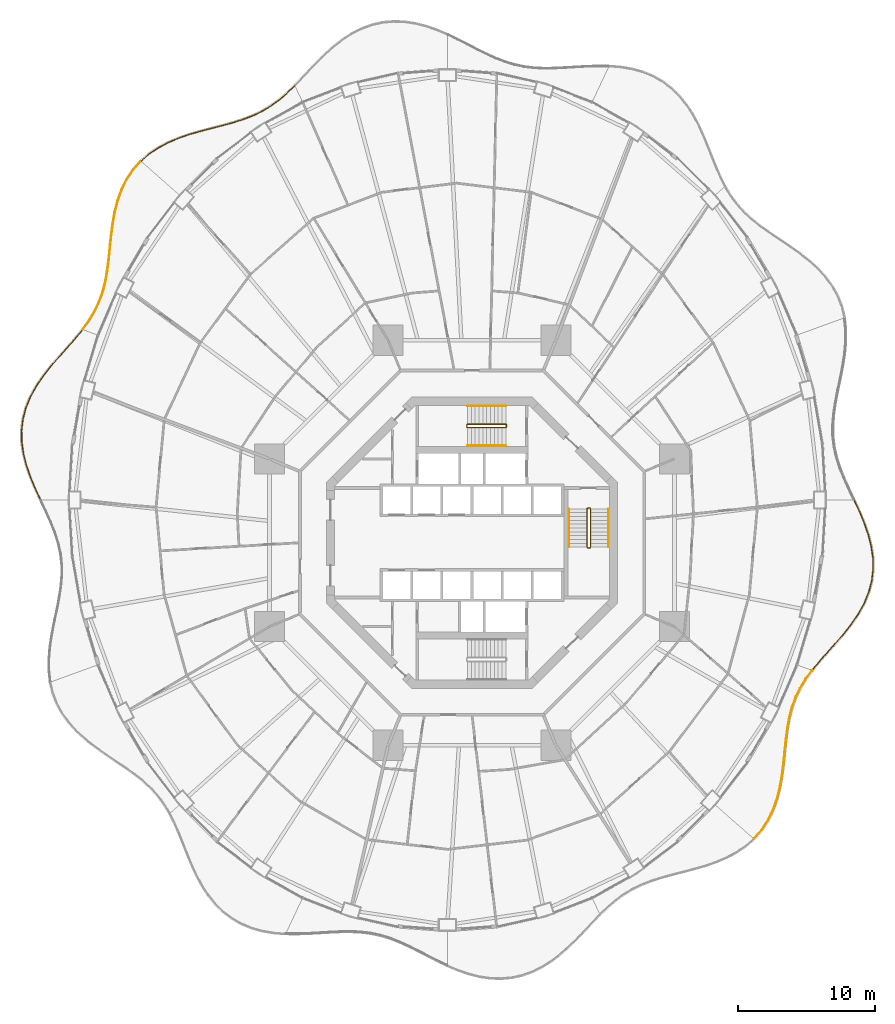
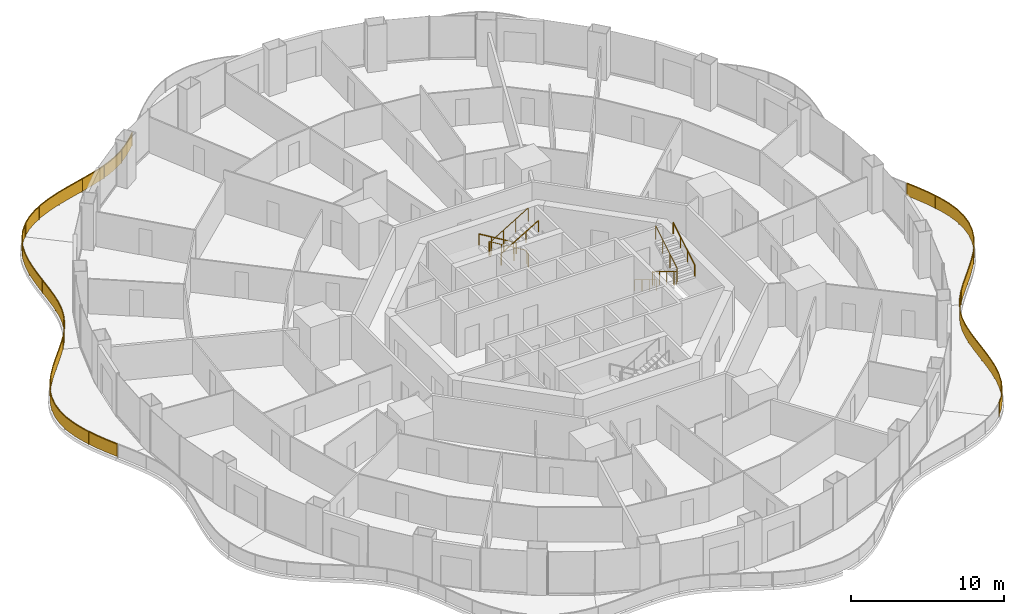
# One storey, part 21 of 22: 11 railings.
"""IFC4 building model written with IfcOpenShell, lengths in metres."""

from ifc_helpers import new_model, si_unit, direction, frame, origin, origin_2d, place, context, subcontext, project, spatial, polyline, rectangle, circle, outline, extrude, material, type_object, element, save


model = new_model("IFC4")

# Units and contexts
model_context = context("Model", 3, precision=1e-05, world=origin(), true_north=direction((0.0, 1.0)))
body_context = subcontext(model_context, "Body", "Model", "MODEL_VIEW")
ifc_project = project(units=[si_unit("LENGTHUNIT", "METRE"), si_unit("AREAUNIT", "SQUARE_METRE"), si_unit("VOLUMEUNIT", "CUBIC_METRE"), si_unit("PLANEANGLEUNIT", "RADIAN"), si_unit("MASSUNIT", "GRAM", prefix="KILO")], contexts=[model_context])

# Site, building, storey
site_placement = place(None, origin())
site = spatial("IfcSite", under=ifc_project, at=site_placement, CompositionType="ELEMENT")
building_placement = place(site_placement, origin())
building = spatial("IfcBuilding", under=site, at=building_placement, Name="Nagisa Residences", CompositionType="ELEMENT")
storey_placement = place(building_placement, frame((0.0, 0.0, 106.60009765625)))
storey = spatial("IfcBuildingStorey", under=building, at=storey_placement, Name="L26", CompositionType="ELEMENT", Elevation=106.60009765625)

# Railings
ifc_material_1 = material(Name="Stainless steel 316", Category="steel")
railing_type_1 = type_object("IfcRailingType", Name="BALCONY GUARD 1100", PredefinedType="BALUSTRADE", material=ifc_material_1)
railing_1_placement = place(storey_placement, frame((-12.95703125, 33.337890625, 0.0)))
element("IfcRailing", 1, at=railing_1_placement, inside=storey, type_object=railing_type_1, Name="guard:L26:bal05-0", PredefinedType="BALUSTRADE", context=body_context, shape_type="SweptSolid", body=[
    extrude(outline(polyline([(-0.512939453125, -0.531982421875), (0.017333984375, -0.01806640625), (-0.017333984375, 0.01806640625), (-0.546630859375, -0.494873046875), (-1.12060546875, -0.98779296875), (-1.716064453125, -1.424560546875), (-2.34130859375, -1.803466796875), (-3.00244140625, -2.126953125), (-3.688232421875, -2.3935546875), (-4.426513671875, -2.6318359375), (-5.19873046875, -2.845947265625), (-5.997802734375, -3.0517578125), (-6.812744140625, -3.26513671875), (-7.618896484375, -3.491943359375), (-8.425537109375, -3.7685546875), (-9.205078125, -4.0966796875), (-9.942138671875, -4.48681640625), (-10.622802734375, -4.945068359375), (-11.19970703125, -5.442626953125), (-11.1669921875, -5.480712890625), (-10.592529296875, -4.985107421875), (-9.916259765625, -4.52978515625), (-9.18359375, -4.14208984375), (-8.407470703125, -3.8154296875), (-7.603759765625, -3.539794921875), (-6.799560546875, -3.3134765625), (-5.985107421875, -3.10009765625), (-5.18603515625, -2.894287109375), (-4.412353515625, -2.6796875), (-3.671630859375, -2.44091796875), (-2.982421875, -2.1728515625), (-2.3173828125, -1.847412109375), (-1.688232421875, -1.466064453125), (-1.08935546875, -1.02685546875), (-0.512939453125, -0.531982421875)])), frame((0.0, 0.0, 1.050048828125)), (0.0, 0.0, 1.0), 0.050048828125),
    extrude(outline(polyline([(-0.525146484375, -0.5185546875), (0.0048828125, -0.005126953125), (-0.0048828125, 0.005126953125), (-0.534423828125, -0.50830078125), (-1.109375, -1.001953125), (-1.7060546875, -1.439453125), (-2.332763671875, -1.8193359375), (-2.995361328125, -2.1435546875), (-3.682373046875, -2.41064453125), (-4.42138671875, -2.649169921875), (-5.194091796875, -2.86328125), (-5.9931640625, -3.069091796875), (-6.80810546875, -3.282470703125), (-7.613525390625, -3.50927734375), (-8.4189453125, -3.785400390625), (-9.197265625, -4.113037109375), (-9.932861328125, -4.502197265625), (-10.61181640625, -4.95947265625), (-11.18798828125, -5.456298828125), (-11.1787109375, -5.467041015625), (-10.603515625, -4.970703125), (-9.925537109375, -4.514404296875), (-9.19140625, -4.125732421875), (-8.4140625, -3.798583984375), (-7.609130859375, -3.5224609375), (-6.80419921875, -3.296142578125), (-5.98974609375, -3.082763671875), (-5.190673828125, -2.876953125), (-4.41748046875, -2.662353515625), (-3.677490234375, -2.423828125), (-2.989501953125, -2.15625), (-2.325927734375, -1.83154296875), (-1.6982421875, -1.451171875), (-1.1005859375, -1.0126953125), (-0.525146484375, -0.5185546875)])), frame((0.0, 0.0, 0.06005859375)), (0.0, 0.0, 1.0), 0.989990234375),
    extrude(rectangle(XDim=0.0400390625, YDim=0.0400390625, at=origin_2d()), origin(), (0.0, 0.0, 1.0), 1.050048828125),
    extrude(rectangle(XDim=0.0400390625, YDim=0.0400390625, at=origin_2d()), frame((-1.5966796875, -1.367919921875, 0.0)), (0.0, 0.0, 1.0), 1.050048828125),
    extrude(rectangle(XDim=0.0400390625, YDim=0.0400390625, at=origin_2d()), frame((-3.461181640625, -2.332275390625, 0.0)), (0.0, 0.0, 1.0), 1.050048828125),
    extrude(rectangle(XDim=0.0400390625, YDim=0.0400390625, at=origin_2d()), frame((-5.47509765625, -2.94287109375, 0.0)), (0.0, 0.0, 1.0), 1.050048828125),
    extrude(rectangle(XDim=0.0400390625, YDim=0.0400390625, at=origin_2d()), frame((-7.509033203125, -3.487060546875, 0.0)), (0.0, 0.0, 1.0), 1.050048828125),
    extrude(rectangle(XDim=0.0400390625, YDim=0.0400390625, at=origin_2d()), frame((-9.463134765625, -4.26171875, 0.0)), (0.0, 0.0, 1.0), 1.050048828125),
    extrude(rectangle(XDim=0.0400390625, YDim=0.0400390625, at=origin_2d()), frame((-11.183349609375, -5.461669921875, 0.0)), (0.0, 0.0, 1.0), 1.050048828125),
])
railing_2_placement = place(storey_placement, frame((-24.195556640625, 27.822021484375, 0.0)))
element("IfcRailing", 2, at=railing_2_placement, inside=storey, type_object=railing_type_1, Name="guard:L26:bal06-0", PredefinedType="BALUSTRADE", context=body_context, shape_type="SweptSolid", body=[
    extrude(outline(polyline([(-0.5078125, -0.609130859375), (0.018798828125, -0.0166015625), (-0.018798828125, 0.0166015625), (-0.54736328125, -0.578369140625), (-1.017578125, -1.281494140625), (-1.3974609375, -2.047119140625), (-1.691650390625, -2.863037109375), (-1.91015625, -3.7158203125), (-2.05859375, -4.577392578125), (-2.17236328125, -5.45751953125), (-2.26220703125, -6.3310546875), (-2.35009765625, -7.184814453125), (-2.456298828125, -8.01123046875), (-2.593017578125, -8.789794921875), (-2.789306640625, -9.544921875), (-3.049560546875, -10.264404296875), (-3.379638671875, -10.951904296875), (-3.780517578125, -11.6142578125), (-4.22265625, -12.224365234375), (-4.18212890625, -12.253662109375), (-3.739013671875, -11.64208984375), (-3.335693359375, -10.975830078125), (-3.003173828125, -10.283935546875), (-2.741455078125, -9.5595703125), (-2.544189453125, -8.800537109375), (-2.406982421875, -8.0185546875), (-2.30029296875, -7.190673828125), (-2.21240234375, -6.3359375), (-2.12255859375, -5.46337890625), (-2.00927734375, -4.584716796875), (-1.861328125, -3.72607421875), (-1.643798828125, -2.877685546875), (-1.3515625, -2.066650390625), (-0.97412109375, -1.306396484375), (-0.5078125, -0.609130859375)])), frame((0.0, 0.0, 1.050048828125)), (0.0, 0.0, 1.0), 0.050048828125),
    extrude(outline(polyline([(-0.52197265625, -0.59814453125), (0.005126953125, -0.004638671875), (-0.005126953125, 0.004638671875), (-0.533203125, -0.58935546875), (-1.001953125, -1.29052734375), (-1.380859375, -2.05419921875), (-1.67431640625, -2.868408203125), (-1.892578125, -3.719482421875), (-2.040771484375, -4.580078125), (-2.154296875, -5.459716796875), (-2.244384765625, -6.332763671875), (-2.33203125, -7.18701171875), (-2.4384765625, -8.013916015625), (-2.575439453125, -8.793701171875), (-2.77197265625, -9.55029296875), (-3.03271484375, -10.271484375), (-3.36376953125, -10.96044921875), (-3.765625, -11.624267578125), (-4.2080078125, -12.23486328125), (-4.19677734375, -12.2431640625), (-3.75390625, -11.632080078125), (-3.3515625, -10.96728515625), (-3.02001953125, -10.27685546875), (-2.7587890625, -9.55419921875), (-2.561767578125, -8.796630859375), (-2.4248046875, -8.015869140625), (-2.318359375, -7.1884765625), (-2.230224609375, -6.334228515625), (-2.140625, -5.461181640625), (-2.027099609375, -4.58203125), (-1.87890625, -3.722412109375), (-1.6611328125, -2.872314453125), (-1.3681640625, -2.0595703125), (-0.98974609375, -1.29736328125), (-0.52197265625, -0.59814453125)])), frame((0.0, 0.0, 0.06005859375)), (0.0, 0.0, 1.0), 0.989990234375),
    extrude(rectangle(XDim=0.0400390625, YDim=0.0400390625, at=origin_2d()), origin(), (0.0, 0.0, 1.0), 1.050048828125),
    extrude(rectangle(XDim=0.0400390625, YDim=0.0400390625, at=origin_2d()), frame((-1.246337890625, -1.79833984375, 0.0)), (0.0, 0.0, 1.0), 1.050048828125),
    extrude(rectangle(XDim=0.0400390625, YDim=0.0400390625, at=origin_2d()), frame((-1.914306640625, -3.886962890625, 0.0)), (0.0, 0.0, 1.0), 1.050048828125),
    extrude(rectangle(XDim=0.0400390625, YDim=0.0400390625, at=origin_2d()), frame((-2.209716796875, -6.066162109375, 0.0)), (0.0, 0.0, 1.0), 1.050048828125),
    extrude(rectangle(XDim=0.0400390625, YDim=0.0400390625, at=origin_2d()), frame((-2.472900390625, -8.249755859375, 0.0)), (0.0, 0.0, 1.0), 1.050048828125),
    extrude(rectangle(XDim=0.0400390625, YDim=0.0400390625, at=origin_2d()), frame((-3.068115234375, -10.36083984375, 0.0)), (0.0, 0.0, 1.0), 1.050048828125),
    extrude(rectangle(XDim=0.0400390625, YDim=0.0400390625, at=origin_2d()), frame((-4.202392578125, -12.239013671875, 0.0)), (0.0, 0.0, 1.0), 1.050048828125),
])
railing_3_placement = place(storey_placement, frame((-28.4443359375, 15.526611328125, 0.0)))
element("IfcRailing", 3, at=railing_3_placement, inside=storey, type_object=railing_type_1, Name="guard:L26:bal07-0", PredefinedType="BALUSTRADE", context=body_context, shape_type="SweptSolid", body=[
    extrude(outline(polyline([(-0.493896484375, -0.64013671875), (0.019287109375, -0.015869140625), (-0.019287109375, 0.015869140625), (-0.531982421875, -0.60791015625), (-1.112060546875, -1.2666015625), (-1.711181640625, -1.936767578125), (-2.305419921875, -2.62646484375), (-2.868896484375, -3.342041015625), (-3.372802734375, -4.073486328125), (-3.801513671875, -4.849609375), (-4.1328125, -5.654541015625), (-4.353759765625, -6.48486328125), (-4.45703125, -7.334228515625), (-4.44140625, -8.181640625), (-4.317626953125, -9.04736328125), (-4.09716796875, -9.91015625), (-3.7998046875, -10.763671875), (-3.448486328125, -11.60302734375), (-3.08544921875, -12.38525390625), (-3.0400390625, -12.3642578125), (-3.402587890625, -11.5830078125), (-3.7529296875, -10.74560546875), (-4.04931640625, -9.8955078125), (-4.268310546875, -9.03759765625), (-4.3916015625, -8.177734375), (-4.40673828125, -7.336669921875), (-4.304443359375, -6.494140625), (-4.08544921875, -5.670654296875), (-3.756103515625, -4.87109375), (-3.330322265625, -4.099853515625), (-2.828369140625, -3.371826171875), (-2.266845703125, -2.658203125), (-1.673583984375, -1.969970703125), (-1.074462890625, -1.2998046875), (-0.493896484375, -0.64013671875)])), frame((0.0, 0.0, 1.050048828125)), (0.0, 0.0, 1.0), 0.050048828125),
    extrude(outline(polyline([(-0.507568359375, -0.628662109375), (0.00537109375, -0.00439453125), (-0.00537109375, 0.00439453125), (-0.518310546875, -0.619384765625), (-1.098388671875, -1.278564453125), (-1.69775390625, -1.94873046875), (-2.29150390625, -2.637939453125), (-2.854248046875, -3.352783203125), (-3.357421875, -4.0830078125), (-3.78515625, -4.857421875), (-4.11572265625, -5.660400390625), (-4.3359375, -6.48828125), (-4.43896484375, -7.335205078125), (-4.423583984375, -8.18017578125), (-4.2998046875, -9.0439453125), (-4.079833984375, -9.90478515625), (-3.782958984375, -10.757080078125), (-3.431884765625, -11.595947265625), (-3.069091796875, -12.377685546875), (-3.056396484375, -12.371826171875), (-3.419189453125, -11.590087890625), (-3.769775390625, -10.752197265625), (-4.066650390625, -9.90087890625), (-4.2861328125, -9.041015625), (-4.409423828125, -8.17919921875), (-4.4248046875, -7.335693359375), (-4.322265625, -6.49072265625), (-4.1025390625, -5.664794921875), (-3.7724609375, -4.86328125), (-3.345703125, -4.09033203125), (-2.843017578125, -3.361083984375), (-2.28076171875, -2.646728515625), (-1.68701171875, -1.9580078125), (-1.088134765625, -1.287841796875), (-0.507568359375, -0.628662109375)])), frame((0.0, 0.0, 0.06005859375)), (0.0, 0.0, 1.0), 0.989990234375),
    extrude(rectangle(XDim=0.0400390625, YDim=0.0400390625, at=origin_2d()), origin(), (0.0, 0.0, 1.0), 1.050048828125),
    extrude(rectangle(XDim=0.0400390625, YDim=0.0400390625, at=origin_2d()), frame((-1.527587890625, -1.76904296875, 0.0)), (0.0, 0.0, 1.0), 1.050048828125),
    extrude(rectangle(XDim=0.0400390625, YDim=0.0400390625, at=origin_2d()), frame((-3.002685546875, -3.58056640625, 0.0)), (0.0, 0.0, 1.0), 1.050048828125),
    extrude(rectangle(XDim=0.0400390625, YDim=0.0400390625, at=origin_2d()), frame((-4.098388671875, -5.63623046875, 0.0)), (0.0, 0.0, 1.0), 1.050048828125),
    extrude(rectangle(XDim=0.0400390625, YDim=0.0400390625, at=origin_2d()), frame((-4.4208984375, -7.936767578125, 0.0)), (0.0, 0.0, 1.0), 1.050048828125),
    extrude(rectangle(XDim=0.0400390625, YDim=0.0400390625, at=origin_2d()), frame((-3.962890625, -10.21923828125, 0.0)), (0.0, 0.0, 1.0), 1.050048828125),
    extrude(rectangle(XDim=0.0400390625, YDim=0.0400390625, at=origin_2d()), frame((-3.062744140625, -12.374755859375, 0.0)), (0.0, 0.0, 1.0), 1.050048828125),
])
railing_4_placement = place(storey_placement, frame((20.595703125, -21.586669921875, 0.0)))
element("IfcRailing", 4, at=railing_4_placement, inside=storey, type_object=railing_type_1, Name="guard:L26:bal14-0", PredefinedType="BALUSTRADE", context=body_context, shape_type="SweptSolid", body=[
    extrude(outline(polyline([(0.507568359375, 0.609130859375), (-0.018798828125, 0.0166015625), (0.018798828125, -0.0166015625), (0.547119140625, 0.578369140625), (1.017578125, 1.281494140625), (1.397216796875, 2.047119140625), (1.69140625, 2.86328125), (1.909912109375, 3.7158203125), (2.05859375, 4.577392578125), (2.172119140625, 5.45751953125), (2.26220703125, 6.3310546875), (2.35009765625, 7.18505859375), (2.4560546875, 8.01123046875), (2.593017578125, 8.789794921875), (2.7890625, 9.545166015625), (3.04931640625, 10.264404296875), (3.37939453125, 10.9521484375), (3.7802734375, 11.6142578125), (4.22265625, 12.224365234375), (4.18212890625, 12.253662109375), (3.73876953125, 11.64208984375), (3.33544921875, 10.97607421875), (3.0029296875, 10.283935546875), (2.7412109375, 9.559814453125), (2.544189453125, 8.800537109375), (2.40673828125, 8.0185546875), (2.30029296875, 7.19091796875), (2.21240234375, 6.336181640625), (2.122314453125, 5.46337890625), (2.00927734375, 4.584716796875), (1.861083984375, 3.72607421875), (1.6435546875, 2.8779296875), (1.351318359375, 2.066650390625), (0.97412109375, 1.306396484375), (0.507568359375, 0.609130859375)])), frame((0.0, 0.0, 1.050048828125)), (0.0, 0.0, 1.0), 0.050048828125),
    extrude(outline(polyline([(0.521728515625, 0.59814453125), (-0.005126953125, 0.004638671875), (0.005126953125, -0.004638671875), (0.532958984375, 0.58935546875), (1.001953125, 1.29052734375), (1.380615234375, 2.05419921875), (1.674072265625, 2.86865234375), (1.892333984375, 3.719482421875), (2.040771484375, 4.580078125), (2.154052734375, 5.459716796875), (2.244384765625, 6.332763671875), (2.33203125, 7.187255859375), (2.438232421875, 8.013916015625), (2.575439453125, 8.793701171875), (2.771728515625, 9.550537109375), (3.032470703125, 10.271484375), (3.363525390625, 10.960693359375), (3.765380859375, 11.624267578125), (4.2080078125, 12.23486328125), (4.19677734375, 12.2431640625), (3.753662109375, 11.632080078125), (3.351318359375, 10.967529296875), (3.019775390625, 10.27685546875), (2.758544921875, 9.554443359375), (2.561767578125, 8.796630859375), (2.424560546875, 8.015869140625), (2.318359375, 7.188720703125), (2.230224609375, 6.334228515625), (2.140380859375, 5.461181640625), (2.027099609375, 4.58203125), (1.878662109375, 3.722412109375), (1.660888671875, 2.87255859375), (1.367919921875, 2.0595703125), (0.98974609375, 1.29736328125), (0.521728515625, 0.59814453125)])), frame((0.0, 0.0, 0.06005859375)), (0.0, 0.0, 1.0), 0.989990234375),
    extrude(rectangle(XDim=0.0400390625, YDim=0.0400390625, at=origin_2d()), origin(), (0.0, 0.0, 1.0), 1.050048828125),
    extrude(rectangle(XDim=0.0400390625, YDim=0.0400390625, at=origin_2d()), frame((1.24609375, 1.798583984375, 0.0)), (0.0, 0.0, 1.0), 1.050048828125),
    extrude(rectangle(XDim=0.0400390625, YDim=0.0400390625, at=origin_2d()), frame((1.914306640625, 3.88720703125, 0.0)), (0.0, 0.0, 1.0), 1.050048828125),
    extrude(rectangle(XDim=0.0400390625, YDim=0.0400390625, at=origin_2d()), frame((2.209716796875, 6.06640625, 0.0)), (0.0, 0.0, 1.0), 1.050048828125),
    extrude(rectangle(XDim=0.0400390625, YDim=0.0400390625, at=origin_2d()), frame((2.47265625, 8.249755859375, 0.0)), (0.0, 0.0, 1.0), 1.050048828125),
    extrude(rectangle(XDim=0.0400390625, YDim=0.0400390625, at=origin_2d()), frame((3.06787109375, 10.361083984375, 0.0)), (0.0, 0.0, 1.0), 1.050048828125),
    extrude(rectangle(XDim=0.0400390625, YDim=0.0400390625, at=origin_2d()), frame((4.202392578125, 12.239013671875, 0.0)), (0.0, 0.0, 1.0), 1.050048828125),
])
railing_5_placement = place(storey_placement, frame((24.84423828125, -9.291259765625, 0.0)))
element("IfcRailing", 5, at=railing_5_placement, inside=storey, type_object=railing_type_1, Name="guard:L26:bal15-0", PredefinedType="BALUSTRADE", context=body_context, shape_type="SweptSolid", body=[
    extrude(outline(polyline([(0.494140625, 0.64013671875), (-0.019287109375, 0.015869140625), (0.019287109375, -0.015869140625), (0.5322265625, 0.60791015625), (1.112060546875, 1.2666015625), (1.71142578125, 1.936767578125), (2.305419921875, 2.62646484375), (2.868896484375, 3.342041015625), (3.372802734375, 4.073486328125), (3.8017578125, 4.849609375), (4.1328125, 5.654541015625), (4.353759765625, 6.48486328125), (4.457275390625, 7.334228515625), (4.441650390625, 8.181640625), (4.31787109375, 9.04736328125), (4.097412109375, 9.91015625), (3.7998046875, 10.763671875), (3.448486328125, 11.603271484375), (3.085693359375, 12.38525390625), (3.040283203125, 12.3642578125), (3.402587890625, 11.583251953125), (3.7529296875, 10.74560546875), (4.049560546875, 9.8955078125), (4.2685546875, 9.03759765625), (4.391845703125, 8.177734375), (4.406982421875, 7.336669921875), (4.304443359375, 6.494140625), (4.08544921875, 5.670654296875), (3.75634765625, 4.87109375), (3.330322265625, 4.099853515625), (2.828369140625, 3.371826171875), (2.266845703125, 2.658203125), (1.673828125, 1.969970703125), (1.074462890625, 1.2998046875), (0.494140625, 0.64013671875)])), frame((0.0, 0.0, 1.050048828125)), (0.0, 0.0, 1.0), 0.050048828125),
    extrude(outline(polyline([(0.5078125, 0.628662109375), (-0.00537109375, 0.00439453125), (0.00537109375, -0.00439453125), (0.5185546875, 0.619384765625), (1.098388671875, 1.278564453125), (1.697998046875, 1.94873046875), (2.29150390625, 2.637939453125), (2.854248046875, 3.352783203125), (3.357421875, 4.0830078125), (3.785400390625, 4.857421875), (4.11572265625, 5.660400390625), (4.3359375, 6.48828125), (4.439208984375, 7.335205078125), (4.423828125, 8.18017578125), (4.300048828125, 9.0439453125), (4.080078125, 9.90478515625), (3.782958984375, 10.757080078125), (3.431884765625, 11.59619140625), (3.0693359375, 12.377685546875), (3.056640625, 12.371826171875), (3.419189453125, 11.59033203125), (3.769775390625, 10.752197265625), (4.06689453125, 9.90087890625), (4.286376953125, 9.041015625), (4.40966796875, 8.17919921875), (4.425048828125, 7.335693359375), (4.322265625, 6.49072265625), (4.1025390625, 5.664794921875), (3.772705078125, 4.86328125), (3.345703125, 4.09033203125), (2.843017578125, 3.361083984375), (2.28076171875, 2.646728515625), (1.687255859375, 1.9580078125), (1.088134765625, 1.287841796875), (0.5078125, 0.628662109375)])), frame((0.0, 0.0, 0.06005859375)), (0.0, 0.0, 1.0), 0.989990234375),
    extrude(rectangle(XDim=0.0400390625, YDim=0.0400390625, at=origin_2d()), origin(), (0.0, 0.0, 1.0), 1.050048828125),
    extrude(rectangle(XDim=0.0400390625, YDim=0.0400390625, at=origin_2d()), frame((1.527587890625, 1.76904296875, 0.0)), (0.0, 0.0, 1.0), 1.050048828125),
    extrude(rectangle(XDim=0.0400390625, YDim=0.0400390625, at=origin_2d()), frame((3.002685546875, 3.58056640625, 0.0)), (0.0, 0.0, 1.0), 1.050048828125),
    extrude(rectangle(XDim=0.0400390625, YDim=0.0400390625, at=origin_2d()), frame((4.098388671875, 5.63623046875, 0.0)), (0.0, 0.0, 1.0), 1.050048828125),
    extrude(rectangle(XDim=0.0400390625, YDim=0.0400390625, at=origin_2d()), frame((4.421142578125, 7.9365234375, 0.0)), (0.0, 0.0, 1.0), 1.050048828125),
    extrude(rectangle(XDim=0.0400390625, YDim=0.0400390625, at=origin_2d()), frame((3.963134765625, 10.21923828125, 0.0)), (0.0, 0.0, 1.0), 1.050048828125),
    extrude(rectangle(XDim=0.0400390625, YDim=0.0400390625, at=origin_2d()), frame((3.06298828125, 12.374755859375, 0.0)), (0.0, 0.0, 1.0), 1.050048828125),
])
ifc_material_2 = material(Name="Stainless steel", Category="steel")
railing_type_2 = type_object("IfcRailingType", Name="Stair guard 1100", PredefinedType="GUARDRAIL", material=ifc_material_2)
railing_6_placement = place(storey_placement, frame((8.599609375, 2.52490234375, 0.0)))
element("IfcRailing", 6, at=railing_6_placement, inside=storey, type_object=railing_type_2, Name="L26 ST-E stair guard 1", PredefinedType="GUARDRAIL", context=body_context, shape_type="SweptSolid", body=[
    extrude(circle(Radius=0.02392578125, at=origin_2d()), frame((0.0, 0.0, 1.076171875), z_axis=(-1.0, 0.0, 0.0), x_axis=(0.0, -1.0, 0.0)), (0.0, 0.0, 1.0), 0.14990234375),
    extrude(circle(Radius=0.02392578125, at=origin_2d()), frame((-0.14990234375, 0.0, 1.076171875), z_axis=(-0.274683208305, -0.273343290215, 0.921863645432), x_axis=(0.705375805398, -0.708833529934, 0.0)), (0.0, 0.0, 1.0), 0.18212890625),
    extrude(circle(Radius=0.02392578125, at=origin_2d()), frame((-0.199951171875, -0.0498046875, 1.244140625), z_axis=(0.0, -0.857242210791, 0.514913383045), x_axis=(1.0, 0.0, 0.0)), (0.0, 0.0, 1.0), 3.266357421875),
    extrude(circle(Radius=0.02392578125, at=origin_2d()), frame((-0.199951171875, -2.849853515625, 2.92578125), z_axis=(0.707106781187, -0.707106781187, 0.0), x_axis=(0.707106781187, 0.707106781187, 0.0)), (0.0, 0.0, 1.0), 0.07080078125),
    extrude(circle(Radius=0.02392578125, at=origin_2d()), frame((-0.14990234375, -2.89990234375, 2.92578125), z_axis=(1.0, 0.0, 0.0), x_axis=(0.0, 1.0, 0.0)), (0.0, 0.0, 1.0), 0.14990234375),
    extrude(circle(Radius=0.02392578125, at=origin_2d()), frame((0.0, -2.89990234375, 2.92578125), z_axis=(0.274243871929, 0.274243871929, 0.92172696468), x_axis=(-0.707106781187, 0.707106781187, 0.0)), (0.0, 0.0, 1.0), 0.1826171875),
    extrude(circle(Radius=0.02392578125, at=origin_2d()), frame((0.050048828125, -2.849853515625, 3.09423828125), z_axis=(0.0, 0.857242210791, 0.514913383045), x_axis=(-1.0, 0.0, 0.0)), (0.0, 0.0, 1.0), 3.266357421875),
    extrude(circle(Radius=0.02099609375, at=origin_2d()), origin(), (0.0, 0.0, 1.0), 1.052001953125),
    extrude(circle(Radius=0.02099609375, at=origin_2d()), frame((-0.14990234375, 0.0, 0.0)), (0.0, 0.0, 1.0), 1.052001953125),
    extrude(circle(Radius=0.02099609375, at=origin_2d()), frame((-0.199951171875, -0.0498046875, 0.16796875)), (0.0, 0.0, 1.0), 1.052001953125),
    extrude(circle(Radius=0.02099609375, at=origin_2d()), frame((-0.199951171875, -0.983154296875, 0.728515625)), (0.0, 0.0, 1.0), 1.052001953125),
    extrude(circle(Radius=0.02099609375, at=origin_2d()), frame((-0.199951171875, -1.91650390625, 1.289306640625)), (0.0, 0.0, 1.0), 1.052001953125),
    extrude(circle(Radius=0.02099609375, at=origin_2d()), frame((-0.199951171875, -2.849853515625, 1.849853515625)), (0.0, 0.0, 1.0), 1.052001953125),
    extrude(circle(Radius=0.02099609375, at=origin_2d()), frame((-0.14990234375, -2.89990234375, 1.849853515625)), (0.0, 0.0, 1.0), 1.052001953125),
    extrude(circle(Radius=0.02099609375, at=origin_2d()), frame((0.0, -2.89990234375, 1.849853515625)), (0.0, 0.0, 1.0), 1.052001953125),
    extrude(circle(Radius=0.02099609375, at=origin_2d()), frame((0.050048828125, -2.849853515625, 2.01806640625)), (0.0, 0.0, 1.0), 1.052001953125),
    extrude(circle(Radius=0.02099609375, at=origin_2d()), frame((0.050048828125, -1.91650390625, 2.57861328125)), (0.0, 0.0, 1.0), 1.052001953125),
    extrude(circle(Radius=0.02099609375, at=origin_2d()), frame((0.050048828125, -0.983154296875, 3.139404296875)), (0.0, 0.0, 1.0), 1.052001953125),
    extrude(circle(Radius=0.02099609375, at=origin_2d()), frame((0.050048828125, -0.0498046875, 3.699951171875)), (0.0, 0.0, 1.0), 1.052001953125),
])
railing_7_placement = place(storey_placement, frame((2.52490234375, 8.44970703125, 0.0)))
element("IfcRailing", 7, at=railing_7_placement, inside=storey, type_object=railing_type_2, Name="L26 ST-N stair guard 1", PredefinedType="GUARDRAIL", context=body_context, shape_type="SweptSolid", body=[
    extrude(circle(Radius=0.02392578125, at=origin_2d()), frame((0.0, 0.0, 1.076171875), z_axis=(0.0, 1.0, 0.0), x_axis=(-1.0, 0.0, 0.0)), (0.0, 0.0, 1.0), 0.14990234375),
    extrude(circle(Radius=0.02392578125, at=origin_2d()), frame((0.0, 0.14990234375, 1.076171875), z_axis=(-0.273343290215, 0.274683208305, 0.921863645432), x_axis=(-0.708833529934, -0.705375805398, 0.0)), (0.0, 0.0, 1.0), 0.18212890625),
    extrude(circle(Radius=0.02392578125, at=origin_2d()), frame((-0.0498046875, 0.199951171875, 1.244140625), z_axis=(-0.857242210791, 0.0, 0.514913383045), x_axis=(0.0, -1.0, 0.0)), (0.0, 0.0, 1.0), 3.266357421875),
    extrude(circle(Radius=0.02392578125, at=origin_2d()), frame((-2.849853515625, 0.199951171875, 2.92578125), z_axis=(-0.707106781187, -0.707106781187, 0.0), x_axis=(0.707106781187, -0.707106781187, 0.0)), (0.0, 0.0, 1.0), 0.07080078125),
    extrude(circle(Radius=0.02392578125, at=origin_2d()), frame((-2.89990234375, 0.14990234375, 2.92578125), z_axis=(0.0, -1.0, 0.0), x_axis=(1.0, 0.0, 0.0)), (0.0, 0.0, 1.0), 0.14990234375),
    extrude(circle(Radius=0.02392578125, at=origin_2d()), frame((-2.89990234375, 0.0, 2.92578125), z_axis=(0.274243871929, -0.274243871929, 0.92172696468), x_axis=(0.707106781187, 0.707106781187, 0.0)), (0.0, 0.0, 1.0), 0.1826171875),
    extrude(circle(Radius=0.02392578125, at=origin_2d()), frame((-2.849853515625, -0.050048828125, 3.09423828125), z_axis=(0.857242210791, 0.0, 0.514913383045), x_axis=(0.0, 1.0, 0.0)), (0.0, 0.0, 1.0), 3.266357421875),
    extrude(circle(Radius=0.02099609375, at=origin_2d()), origin(), (0.0, 0.0, 1.0), 1.052001953125),
    extrude(circle(Radius=0.02099609375, at=origin_2d()), frame((0.0, 0.14990234375, 0.0)), (0.0, 0.0, 1.0), 1.052001953125),
    extrude(circle(Radius=0.02099609375, at=origin_2d()), frame((-0.0498046875, 0.199951171875, 0.16796875)), (0.0, 0.0, 1.0), 1.052001953125),
    extrude(circle(Radius=0.02099609375, at=origin_2d()), frame((-0.983154296875, 0.199951171875, 0.728515625)), (0.0, 0.0, 1.0), 1.052001953125),
    extrude(circle(Radius=0.02099609375, at=origin_2d()), frame((-1.91650390625, 0.199951171875, 1.289306640625)), (0.0, 0.0, 1.0), 1.052001953125),
    extrude(circle(Radius=0.02099609375, at=origin_2d()), frame((-2.849853515625, 0.199951171875, 1.849853515625)), (0.0, 0.0, 1.0), 1.052001953125),
    extrude(circle(Radius=0.02099609375, at=origin_2d()), frame((-2.89990234375, 0.14990234375, 1.849853515625)), (0.0, 0.0, 1.0), 1.052001953125),
    extrude(circle(Radius=0.02099609375, at=origin_2d()), frame((-2.89990234375, 0.0, 1.849853515625)), (0.0, 0.0, 1.0), 1.052001953125),
    extrude(circle(Radius=0.02099609375, at=origin_2d()), frame((-2.849853515625, -0.050048828125, 2.01806640625)), (0.0, 0.0, 1.0), 1.052001953125),
    extrude(circle(Radius=0.02099609375, at=origin_2d()), frame((-1.91650390625, -0.050048828125, 2.57861328125)), (0.0, 0.0, 1.0), 1.052001953125),
    extrude(circle(Radius=0.02099609375, at=origin_2d()), frame((-0.983154296875, -0.050048828125, 3.139404296875)), (0.0, 0.0, 1.0), 1.052001953125),
    extrude(circle(Radius=0.02099609375, at=origin_2d()), frame((-0.0498046875, -0.050048828125, 3.699951171875)), (0.0, 0.0, 1.0), 1.052001953125),
])
ifc_material_3 = material(Name="Stainless steel", Category="steel")
railing_type_3 = type_object("IfcRailingType", Name="Stair handrail 900", PredefinedType="HANDRAIL", material=ifc_material_3)
railing_8_placement = place(storey_placement, frame((7.07470703125, 2.47509765625, 0.16796875)))
element("IfcRailing", 8, at=railing_8_placement, inside=storey, type_object=railing_type_3, Name="L26 ST-E stair handrail 1", PredefinedType="HANDRAIL", context=body_context, shape_type="SweptSolid", body=[
    extrude(circle(Radius=0.02392578125, at=origin_2d()), frame((0.0, 0.0, 0.8759765625), z_axis=(0.0, -0.857242210791, 0.514913383045), x_axis=(1.0, 0.0, 0.0)), (0.0, 0.0, 1.0), 3.266357421875),
    extrude(circle(Radius=0.02099609375, at=origin_2d()), origin(), (0.0, 0.0, 1.0), 0.851806640625),
    extrude(circle(Radius=0.02099609375, at=origin_2d()), frame((0.0, -0.933349609375, 0.560546875)), (0.0, 0.0, 1.0), 0.851806640625),
    extrude(circle(Radius=0.02099609375, at=origin_2d()), frame((0.0, -1.86669921875, 1.121337890625)), (0.0, 0.0, 1.0), 0.851806640625),
    extrude(circle(Radius=0.02099609375, at=origin_2d()), frame((0.0, -2.800048828125, 1.681884765625)), (0.0, 0.0, 1.0), 0.851806640625),
])
railing_9_placement = place(storey_placement, frame((9.974609375, -0.324951171875, 2.01806640625)))
element("IfcRailing", 9, at=railing_9_placement, inside=storey, type_object=railing_type_3, Name="L26 ST-E stair handrail 2", PredefinedType="HANDRAIL", context=body_context, shape_type="SweptSolid", body=[
    extrude(circle(Radius=0.02392578125, at=origin_2d()), frame((0.0, 0.0, 0.8759765625), z_axis=(0.0, 0.857242210791, 0.514913383045), x_axis=(-1.0, 0.0, 0.0)), (0.0, 0.0, 1.0), 3.266357421875),
    extrude(circle(Radius=0.02099609375, at=origin_2d()), origin(), (0.0, 0.0, 1.0), 0.851806640625),
    extrude(circle(Radius=0.02099609375, at=origin_2d()), frame((0.0, 0.933349609375, 0.560546875)), (0.0, 0.0, 1.0), 0.851806640625),
    extrude(circle(Radius=0.02099609375, at=origin_2d()), frame((0.0, 1.86669921875, 1.121337890625)), (0.0, 0.0, 1.0), 0.851806640625),
    extrude(circle(Radius=0.02099609375, at=origin_2d()), frame((0.0, 2.800048828125, 1.681884765625)), (0.0, 0.0, 1.0), 0.851806640625),
])
railing_10_placement = place(storey_placement, frame((2.47509765625, 9.974609375, 0.16796875)))
element("IfcRailing", 10, at=railing_10_placement, inside=storey, type_object=railing_type_3, Name="L26 ST-N stair handrail 1", PredefinedType="HANDRAIL", context=body_context, shape_type="SweptSolid", body=[
    extrude(circle(Radius=0.02392578125, at=origin_2d()), frame((0.0, 0.0, 0.8759765625), z_axis=(-0.857242210791, 0.0, 0.514913383045), x_axis=(0.0, -1.0, 0.0)), (0.0, 0.0, 1.0), 3.266357421875),
    extrude(circle(Radius=0.02099609375, at=origin_2d()), origin(), (0.0, 0.0, 1.0), 0.851806640625),
    extrude(circle(Radius=0.02099609375, at=origin_2d()), frame((-0.933349609375, 0.0, 0.560546875)), (0.0, 0.0, 1.0), 0.851806640625),
    extrude(circle(Radius=0.02099609375, at=origin_2d()), frame((-1.86669921875, 0.0, 1.121337890625)), (0.0, 0.0, 1.0), 0.851806640625),
    extrude(circle(Radius=0.02099609375, at=origin_2d()), frame((-2.800048828125, 0.0, 1.681884765625)), (0.0, 0.0, 1.0), 0.851806640625),
])
railing_11_placement = place(storey_placement, frame((-0.324951171875, 7.07470703125, 2.01806640625)))
element("IfcRailing", 11, at=railing_11_placement, inside=storey, type_object=railing_type_3, Name="L26 ST-N stair handrail 2", PredefinedType="HANDRAIL", context=body_context, shape_type="SweptSolid", body=[
    extrude(circle(Radius=0.02392578125, at=origin_2d()), frame((0.0, 0.0, 0.8759765625), z_axis=(0.857242210791, 0.0, 0.514913383045), x_axis=(0.0, 1.0, 0.0)), (0.0, 0.0, 1.0), 3.266357421875),
    extrude(circle(Radius=0.02099609375, at=origin_2d()), origin(), (0.0, 0.0, 1.0), 0.851806640625),
    extrude(circle(Radius=0.02099609375, at=origin_2d()), frame((0.933349609375, 0.0, 0.560546875)), (0.0, 0.0, 1.0), 0.851806640625),
    extrude(circle(Radius=0.02099609375, at=origin_2d()), frame((1.86669921875, 0.0, 1.121337890625)), (0.0, 0.0, 1.0), 0.851806640625),
    extrude(circle(Radius=0.02099609375, at=origin_2d()), frame((2.800048828125, 0.0, 1.681884765625)), (0.0, 0.0, 1.0), 0.851806640625),
])

save(model, "model.ifc")
